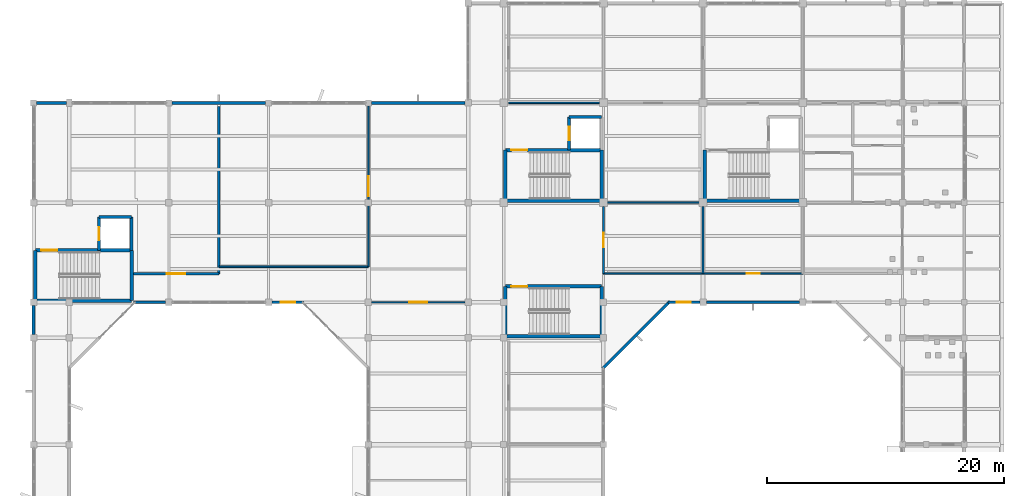
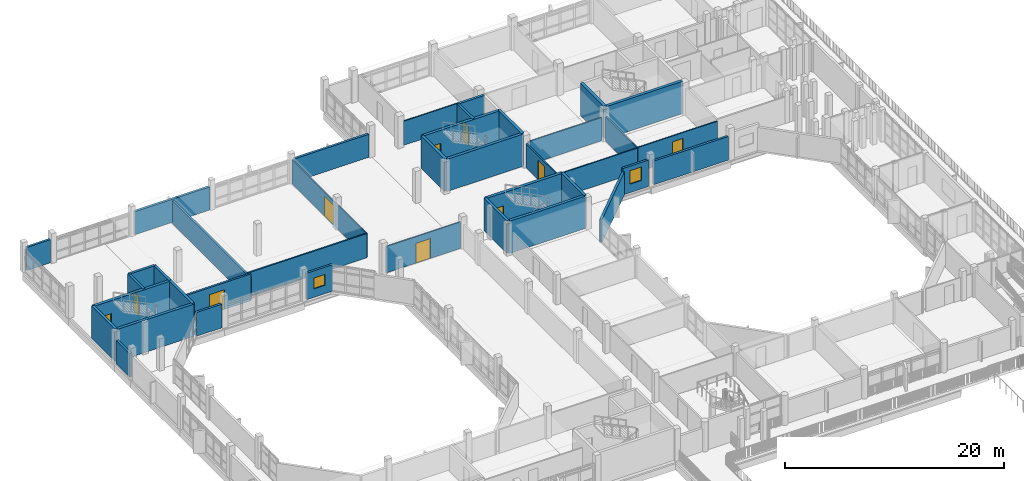
# One storey, part 32 of 51: 39 walls, 10 doors, 2 windows, 12 openings.
"""IFC4 building model written with IfcOpenShell, lengths in metres."""

from ifc_helpers import new_model, si_unit, direction, frame, frame_2d, origin, place, context, subcontext, project, spatial, rectangle, extrude, material, layer, layer_set, type_object, element, fill, save


model = new_model("IFC4")

# Units and contexts
model_context = context("Model", 3, precision=1e-05, world=origin(), true_north=direction((0.0, 1.0)))
body_context = subcontext(model_context, "Body", "Model", "MODEL_VIEW")
ifc_project = project(units=[si_unit("LENGTHUNIT", "METRE"), si_unit("AREAUNIT", "SQUARE_METRE"), si_unit("VOLUMEUNIT", "CUBIC_METRE"), si_unit("PLANEANGLEUNIT", "RADIAN"), si_unit("MASSUNIT", "GRAM", prefix="KILO")], contexts=[model_context])

# Site, building, storey
site_placement = place(None, origin())
site = spatial("IfcSite", under=ifc_project, at=site_placement, CompositionType="ELEMENT")
building_placement = place(site_placement, origin())
building = spatial("IfcBuilding", under=site, at=building_placement, Name="Vanh Quang Courtyard School", CompositionType="ELEMENT")
storey_placement = place(building_placement, frame((0.0, 0.0, 11.39990234375)))
storey = spatial("IfcBuildingStorey", under=building, at=storey_placement, Name="L03", CompositionType="ELEMENT", Elevation=11.39990234375)

# Wall
ifc_material_1 = material(Name="Concrete C30/37", Category="concrete")
ifc_layer_1 = layer(ifc_material_1, 0.199951171875)
ifc_layer_set_1 = layer_set([ifc_layer_1], Name="Concrete C30/37")
wall_type_1 = type_object("IfcWallType", Name="W-COMP-200", PredefinedType="PARTITIONING", material=ifc_layer_set_1)
wall_1_placement = place(storey_placement, frame((53.39990234375, 87.8798828125, 0.0), z_axis=(0.0, 0.0, 1.0), x_axis=(0.0, -1.0, 0.0)))
element("IfcWall", 1, at=wall_1_placement, inside=storey, type_object=wall_type_1, Name="Wall W-COMP1 (L03)", PredefinedType="PARTITIONING", context=body_context, shape_type="SweptSolid", body=[
    extrude(rectangle(XDim=14.079833984375, YDim=0.199951171875, at=frame_2d((7.0400390625, 0.0))), origin(), (0.0, 0.0, 1.0), 2.590087890625),
])

# Wall, opening, door
wall_2_placement = place(storey_placement, frame((53.39990234375, 73.800048828125, 0.0), z_axis=(0.0, 0.0, 1.0), x_axis=(-1.0, 0.0, 0.0)))
wall_2 = element("IfcWall", 2, at=wall_2_placement, inside=storey, type_object=wall_type_1, Name="Wall W-COMP1 (L03)", PredefinedType="PARTITIONING", context=body_context, shape_type="SweptSolid", body=[
    extrude(rectangle(XDim=7.199951171875, YDim=0.199951171875, at=frame_2d((3.60009765625, 0.0))), origin(), (0.0, 0.0, 1.0), 2.97998046875),
])
opening_1_placement = place(wall_2_placement, frame((2.824951171875, 0.0, 0.0)))
opening_1 = element("IfcOpeningElement", 3, at=opening_1_placement, cuts=wall_2, Name="Opening L03-D135", PredefinedType="OPENING", context=body_context, shape_type="SweptSolid", body=[
    extrude(rectangle(XDim=1.550048828125, YDim=2.199951171875, at=frame_2d((0.77490234375, 1.10009765625))), frame((0.0, 0.10986328125, 0.0), z_axis=(0.0, -1.0, 0.0), x_axis=(1.0, 0.0, 0.0)), (0.0, 0.0, 1.0), 0.219970703125),
])
ifc_material_2 = material(Name="Painted galvanised steel fire door", Category="steel")
door_type_1 = type_object("IfcDoorType", Name="IDR-KIT-1550x2200", OperationType="NOTDEFINED", PredefinedType="DOOR", material=ifc_material_2)
door_1_placement = place(opening_1_placement, origin())
door_1 = element("IfcDoor", 4, at=door_1_placement, inside=storey, type_object=door_type_1, Name="Door L03-D135 (L03)", OperationType="DOUBLE_DOOR_SINGLE_SWING", OverallHeight=2.199951171875, OverallWidth=1.550048828125, PredefinedType="DOOR", context=body_context, shape_type="SweptSolid", body=[
    extrude(rectangle(XDim=1.550048828125, YDim=2.199951171875, at=frame_2d((0.77490234375, 1.10009765625))), frame((0.0, 0.02490234375, 0.0), z_axis=(0.0, -1.0, 0.0), x_axis=(1.0, 0.0, 0.0)), (0.0, 0.0, 1.0), 0.050048828125),
])
fill(opening_1, door_1)

# Walls
ifc_material_3 = material(Name="Concrete C35/45", Category="concrete")
ifc_layer_2 = layer(ifc_material_3, 0.300048828125)
ifc_layer_set_2 = layer_set([ifc_layer_2], Name="Concrete C35/45")
wall_type_2 = type_object("IfcWallType", Name="W-CORE-300", PredefinedType="SHEAR", material=ifc_layer_set_2)
wall_3_placement = place(storey_placement, frame((77.5400390625, 79.93994140625, 0.0), z_axis=(0.0, 0.0, 1.0), x_axis=(1.0, 0.0, 0.0)))
element("IfcWall", 5, at=wall_3_placement, inside=storey, type_object=wall_type_2, Name="Wall W-CORE1 (L03)", PredefinedType="SHEAR", context=body_context, shape_type="SweptSolid", body=[
    extrude(rectangle(XDim=8.119873046875, YDim=0.300048828125, at=frame_2d((4.06005859375, 0.0))), origin(), (0.0, 0.0, 1.0), 3.60009765625),
])
wall_4_placement = place(storey_placement, frame((85.659912109375, 79.93994140625, 0.0), z_axis=(0.0, 0.0, 1.0), x_axis=(0.0, 1.0, 0.0)))
element("IfcWall", 6, at=wall_4_placement, inside=storey, type_object=wall_type_2, Name="Wall W-CORE1 (L03)", PredefinedType="SHEAR", context=body_context, shape_type="SweptSolid", body=[
    extrude(rectangle(XDim=4.280029296875, YDim=0.300048828125, at=frame_2d((2.14013671875, 0.0))), origin(), (0.0, 0.0, 1.0), 3.60009765625),
])

# Wall, opening, door
wall_5_placement = place(storey_placement, frame((85.659912109375, 84.219970703125, 0.0), z_axis=(0.0, 0.0, 1.0), x_axis=(-1.0, 0.0, 0.0)))
wall_5 = element("IfcWall", 7, at=wall_5_placement, inside=storey, type_object=wall_type_2, Name="Wall W-CORE1 (L03)", PredefinedType="SHEAR", context=body_context, shape_type="SweptSolid", body=[
    extrude(rectangle(XDim=8.119873046875, YDim=0.300048828125, at=frame_2d((4.06005859375, 0.0))), origin(), (0.0, 0.0, 1.0), 3.60009765625),
])
opening_2_placement = place(wall_5_placement, frame((6.27001953125, 0.0, 0.0)))
opening_2 = element("IfcOpeningElement", 8, at=opening_2_placement, cuts=wall_5, Name="Opening L03-DS1", PredefinedType="OPENING", context=body_context, shape_type="SweptSolid", body=[
    extrude(rectangle(XDim=1.35009765625, YDim=2.14990234375, at=frame_2d((0.675048828125, 1.074951171875))), frame((0.0, 0.16015625, 0.0), z_axis=(0.0, -1.0, 0.0), x_axis=(1.0, 0.0, 0.0)), (0.0, 0.0, 1.0), 0.320068359375),
])
door_type_2 = type_object("IfcDoorType", Name="IDR-ST-1350x2150", OperationType="NOTDEFINED", PredefinedType="DOOR", material=ifc_material_2)
door_2_placement = place(opening_2_placement, frame((1.35009765625, 0.0, 0.0), z_axis=(0.0, 0.0, 1.0), x_axis=(-1.0, 0.0, 0.0)))
door_2 = element("IfcDoor", 9, at=door_2_placement, inside=storey, type_object=door_type_2, Name="Door L03-DS1 (L03)", OperationType="SINGLE_SWING_LEFT", OverallHeight=2.14990234375, OverallWidth=1.35009765625, PredefinedType="DOOR", context=body_context, shape_type="SweptSolid", body=[
    extrude(rectangle(XDim=1.35009765625, YDim=2.14990234375, at=frame_2d((0.675048828125, 1.074951171875))), frame((0.0, 0.02490234375, 0.0), z_axis=(0.0, -1.0, 0.0), x_axis=(1.0, 0.0, 0.0)), (0.0, 0.0, 1.0), 0.050048828125),
])
fill(opening_2, door_2)

# Walls
wall_6_placement = place(storey_placement, frame((77.5400390625, 84.219970703125, 0.0), z_axis=(0.0, 0.0, 1.0), x_axis=(0.0, -1.0, 0.0)))
element("IfcWall", 10, at=wall_6_placement, inside=storey, type_object=wall_type_2, Name="Wall W-CORE1 (L03)", PredefinedType="SHEAR", context=body_context, shape_type="SweptSolid", body=[
    extrude(rectangle(XDim=4.280029296875, YDim=0.300048828125, at=frame_2d((2.14013671875, 0.0))), origin(), (0.0, 0.0, 1.0), 3.60009765625),
])
wall_7_placement = place(storey_placement, frame((94.340087890625, 79.93994140625, 0.0), z_axis=(0.0, 0.0, 1.0), x_axis=(1.0, 0.0, 0.0)))
element("IfcWall", 11, at=wall_7_placement, inside=storey, type_object=wall_type_2, Name="Wall W-CORE1 (L03)", PredefinedType="SHEAR", context=body_context, shape_type="SweptSolid", body=[
    extrude(rectangle(XDim=8.119873046875, YDim=0.300048828125, at=frame_2d((4.06005859375, 0.0))), origin(), (0.0, 0.0, 1.0), 3.60009765625),
])
wall_8_placement = place(storey_placement, frame((94.340087890625, 84.219970703125, 0.0), z_axis=(0.0, 0.0, 1.0), x_axis=(0.0, -1.0, 0.0)))
element("IfcWall", 12, at=wall_8_placement, inside=storey, type_object=wall_type_2, Name="Wall W-CORE1 (L03)", PredefinedType="SHEAR", context=body_context, shape_type="SweptSolid", body=[
    extrude(rectangle(XDim=4.280029296875, YDim=0.300048828125, at=frame_2d((2.14013671875, 0.0))), origin(), (0.0, 0.0, 1.0), 3.60009765625),
])
wall_9_placement = place(storey_placement, frame((37.93994140625, 71.5400390625, 0.0), z_axis=(0.0, 0.0, 1.0), x_axis=(1.0, 0.0, 0.0)))
element("IfcWall", 13, at=wall_9_placement, inside=storey, type_object=wall_type_2, Name="Wall W-CORE1 (L03)", PredefinedType="SHEAR", context=body_context, shape_type="SweptSolid", body=[
    extrude(rectangle(XDim=8.1201171875, YDim=0.300048828125, at=frame_2d((4.06005859375, 0.0))), origin(), (0.0, 0.0, 1.0), 3.60009765625),
])
wall_10_placement = place(storey_placement, frame((46.06005859375, 71.5400390625, 0.0), z_axis=(0.0, 0.0, 1.0), x_axis=(0.0, 1.0, 0.0)))
element("IfcWall", 14, at=wall_10_placement, inside=storey, type_object=wall_type_2, Name="Wall W-CORE1 (L03)", PredefinedType="SHEAR", context=body_context, shape_type="SweptSolid", body=[
    extrude(rectangle(XDim=4.239990234375, YDim=0.300048828125, at=frame_2d((2.1201171875, 0.0))), origin(), (0.0, 0.0, 1.0), 3.60009765625),
])

# Wall, opening, door
wall_11_placement = place(storey_placement, frame((46.06005859375, 75.780029296875, 0.0), z_axis=(0.0, 0.0, 1.0), x_axis=(-1.0, 0.0, 0.0)))
wall_11 = element("IfcWall", 15, at=wall_11_placement, inside=storey, type_object=wall_type_2, Name="Wall W-CORE1 (L03)", PredefinedType="SHEAR", context=body_context, shape_type="SweptSolid", body=[
    extrude(rectangle(XDim=8.1201171875, YDim=0.300048828125, at=frame_2d((4.06005859375, 0.0))), origin(), (0.0, 0.0, 1.0), 3.60009765625),
])
opening_3_placement = place(wall_11_placement, frame((6.27001953125, 0.0, 0.0)))
opening_3 = element("IfcOpeningElement", 16, at=opening_3_placement, cuts=wall_11, Name="Opening L03-DS3", PredefinedType="OPENING", context=body_context, shape_type="SweptSolid", body=[
    extrude(rectangle(XDim=1.35009765625, YDim=2.14990234375, at=frame_2d((0.675048828125, 1.074951171875))), frame((0.0, 0.16015625, 0.0), z_axis=(0.0, -1.0, 0.0), x_axis=(1.0, 0.0, 0.0)), (0.0, 0.0, 1.0), 0.320068359375),
])
door_3_placement = place(opening_3_placement, frame((1.35009765625, 0.0, 0.0), z_axis=(0.0, 0.0, 1.0), x_axis=(-1.0, 0.0, 0.0)))
door_3 = element("IfcDoor", 17, at=door_3_placement, inside=storey, type_object=door_type_2, Name="Door L03-DS3 (L03)", OperationType="SINGLE_SWING_LEFT", OverallHeight=2.14990234375, OverallWidth=1.35009765625, PredefinedType="DOOR", context=body_context, shape_type="SweptSolid", body=[
    extrude(rectangle(XDim=1.35009765625, YDim=2.14990234375, at=frame_2d((0.675048828125, 1.074951171875))), frame((0.0, 0.02490234375, 0.0), z_axis=(0.0, -1.0, 0.0), x_axis=(1.0, 0.0, 0.0)), (0.0, 0.0, 1.0), 0.050048828125),
])
fill(opening_3, door_3)

# Walls
wall_12_placement = place(storey_placement, frame((37.93994140625, 75.780029296875, 0.0), z_axis=(0.0, 0.0, 1.0), x_axis=(0.0, -1.0, 0.0)))
element("IfcWall", 18, at=wall_12_placement, inside=storey, type_object=wall_type_2, Name="Wall W-CORE1 (L03)", PredefinedType="SHEAR", context=body_context, shape_type="SweptSolid", body=[
    extrude(rectangle(XDim=4.239990234375, YDim=0.300048828125, at=frame_2d((2.1201171875, 0.0))), origin(), (0.0, 0.0, 1.0), 3.60009765625),
])
wall_13_placement = place(storey_placement, frame((77.5400390625, 68.5400390625, 0.0), z_axis=(0.0, 0.0, 1.0), x_axis=(1.0, 0.0, 0.0)))
element("IfcWall", 19, at=wall_13_placement, inside=storey, type_object=wall_type_2, Name="Wall W-CORE1 (L03)", PredefinedType="SHEAR", context=body_context, shape_type="SweptSolid", body=[
    extrude(rectangle(XDim=8.119873046875, YDim=0.300048828125, at=frame_2d((4.06005859375, 0.0))), origin(), (0.0, 0.0, 1.0), 3.60009765625),
])
wall_14_placement = place(storey_placement, frame((85.659912109375, 68.5400390625, 0.0), z_axis=(0.0, 0.0, 1.0), x_axis=(0.0, 1.0, 0.0)))
element("IfcWall", 20, at=wall_14_placement, inside=storey, type_object=wall_type_2, Name="Wall W-CORE1 (L03)", PredefinedType="SHEAR", context=body_context, shape_type="SweptSolid", body=[
    extrude(rectangle(XDim=4.199951171875, YDim=0.300048828125, at=frame_2d((2.10009765625, 0.0))), origin(), (0.0, 0.0, 1.0), 3.60009765625),
])

# Wall, opening, door
wall_15_placement = place(storey_placement, frame((85.659912109375, 72.739990234375, 0.0), z_axis=(0.0, 0.0, 1.0), x_axis=(-1.0, 0.0, 0.0)))
wall_15 = element("IfcWall", 21, at=wall_15_placement, inside=storey, type_object=wall_type_2, Name="Wall W-CORE1 (L03)", PredefinedType="SHEAR", context=body_context, shape_type="SweptSolid", body=[
    extrude(rectangle(XDim=8.119873046875, YDim=0.300048828125, at=frame_2d((4.06005859375, 0.0))), origin(), (0.0, 0.0, 1.0), 3.60009765625),
])
opening_4_placement = place(wall_15_placement, frame((6.27001953125, 0.0, 0.0)))
opening_4 = element("IfcOpeningElement", 22, at=opening_4_placement, cuts=wall_15, Name="Opening L03-DS5", PredefinedType="OPENING", context=body_context, shape_type="SweptSolid", body=[
    extrude(rectangle(XDim=1.35009765625, YDim=2.14990234375, at=frame_2d((0.675048828125, 1.074951171875))), frame((0.0, 0.16015625, 0.0), z_axis=(0.0, -1.0, 0.0), x_axis=(1.0, 0.0, 0.0)), (0.0, 0.0, 1.0), 0.320068359375),
])
door_4_placement = place(opening_4_placement, frame((1.35009765625, 0.0, 0.0), z_axis=(0.0, 0.0, 1.0), x_axis=(-1.0, 0.0, 0.0)))
door_4 = element("IfcDoor", 23, at=door_4_placement, inside=storey, type_object=door_type_2, Name="Door L03-DS5 (L03)", OperationType="SINGLE_SWING_LEFT", OverallHeight=2.14990234375, OverallWidth=1.35009765625, PredefinedType="DOOR", context=body_context, shape_type="SweptSolid", body=[
    extrude(rectangle(XDim=1.35009765625, YDim=2.14990234375, at=frame_2d((0.675048828125, 1.074951171875))), frame((0.0, 0.02490234375, 0.0), z_axis=(0.0, -1.0, 0.0), x_axis=(1.0, 0.0, 0.0)), (0.0, 0.0, 1.0), 0.050048828125),
])
fill(opening_4, door_4)

# Walls
wall_16_placement = place(storey_placement, frame((77.5400390625, 72.739990234375, 0.0), z_axis=(0.0, 0.0, 1.0), x_axis=(0.0, -1.0, 0.0)))
element("IfcWall", 24, at=wall_16_placement, inside=storey, type_object=wall_type_2, Name="Wall W-CORE1 (L03)", PredefinedType="SHEAR", context=body_context, shape_type="SweptSolid", body=[
    extrude(rectangle(XDim=4.199951171875, YDim=0.300048828125, at=frame_2d((2.10009765625, 0.0))), origin(), (0.0, 0.0, 1.0), 3.60009765625),
])
ifc_material_4 = material(Name="Precast concrete C40/50", Category="concrete")
ifc_layer_3 = layer(ifc_material_4, 0.239990234375)
ifc_layer_set_3 = layer_set([ifc_layer_3], Name="Precast concrete C40/50")
wall_type_3 = type_object("IfcWallType", Name="W-EXT-240", PredefinedType="SOLIDWALL", material=ifc_layer_set_3)
wall_17_placement = place(storey_placement, frame((37.800048828125, 68.673095703125, 0.0), z_axis=(0.0, 0.0, 1.0), x_axis=(0.0, 1.0, 0.0)))
element("IfcWall", 25, at=wall_17_placement, inside=storey, type_object=wall_type_3, Name="Wall WE-03 (L03)", PredefinedType="SOLIDWALL", context=body_context, shape_type="SweptSolid", body=[
    extrude(rectangle(XDim=2.453857421875, YDim=0.239990234375, at=frame_2d((1.22705078125, 0.0))), origin(), (0.0, 0.0, 1.0), 2.64013671875),
])
wall_18_placement = place(storey_placement, frame((38.048095703125, 88.199951171875, 0.0), z_axis=(0.0, 0.0, 1.0), x_axis=(1.0, 0.0, 0.0)))
element("IfcWall", 26, at=wall_18_placement, inside=storey, type_object=wall_type_3, Name="Wall WE-03 (L03)", PredefinedType="SOLIDWALL", context=body_context, shape_type="SweptSolid", body=[
    extrude(rectangle(XDim=2.50390625, YDim=0.239990234375, at=frame_2d((1.251953125, 0.0))), origin(), (0.0, 0.0, 1.0), 2.580078125),
])
wall_19_placement = place(storey_placement, frame((49.447998046875, 88.199951171875, 0.0), z_axis=(0.0, 0.0, 1.0), x_axis=(1.0, 0.0, 0.0)))
element("IfcWall", 27, at=wall_19_placement, inside=storey, type_object=wall_type_3, Name="Wall WE-03 (L03)", PredefinedType="SOLIDWALL", context=body_context, shape_type="SweptSolid", body=[
    extrude(rectangle(XDim=7.904052734375, YDim=0.239990234375, at=frame_2d((3.9521484375, 0.0))), origin(), (0.0, 0.0, 1.0), 2.580078125),
])
wall_20_placement = place(storey_placement, frame((66.248046875, 88.199951171875, 0.0), z_axis=(0.0, 0.0, 1.0), x_axis=(1.0, 0.0, 0.0)))
element("IfcWall", 28, at=wall_20_placement, inside=storey, type_object=wall_type_3, Name="Wall WE-03 (L03)", PredefinedType="SOLIDWALL", context=body_context, shape_type="SweptSolid", body=[
    extrude(rectangle(XDim=7.87890625, YDim=0.239990234375, at=frame_2d((3.939453125, 0.0))), origin(), (0.0, 0.0, 1.0), 2.580078125),
])

# Wall, opening, window
wall_21_placement = place(storey_placement, frame((60.575927734375, 71.39990234375, 0.0), z_axis=(0.0, 0.0, 1.0), x_axis=(-1.0, 0.0, 0.0)))
wall_21 = element("IfcWall", 29, at=wall_21_placement, inside=storey, type_object=wall_type_3, Name="Wall WE-03 (L03)", PredefinedType="SOLIDWALL", context=body_context, shape_type="SweptSolid", body=[
    extrude(rectangle(XDim=2.702880859375, YDim=0.239990234375, at=frame_2d((1.3515625, 0.0))), origin(), (0.0, 0.0, 1.0), 2.9501953125),
])
opening_5_placement = place(wall_21_placement, frame((0.75146484375, 0.0, 0.949951171875)))
opening_5 = element("IfcOpeningElement", 30, at=opening_5_placement, cuts=wall_21, Name="Opening WN-01", PredefinedType="OPENING", context=body_context, shape_type="SweptSolid", body=[
    extrude(rectangle(XDim=1.199951171875, YDim=1.199951171875, at=frame_2d((0.60009765625, 0.60009765625))), frame((0.0, 0.1298828125, 0.0), z_axis=(0.0, -1.0, 0.0), x_axis=(1.0, 0.0, 0.0)), (0.0, 0.0, 1.0), 0.260009765625),
])
ifc_material_5 = material(Name="Anodised aluminium and low-E double glazing", Category="aluminium")
window_type_1 = type_object("IfcWindowType", Name="WIN-TYP-01", PartitioningType="SINGLE_PANEL", PredefinedType="WINDOW", material=ifc_material_5)
window_1_placement = place(opening_5_placement, origin())
window_1 = element("IfcWindow", 31, at=window_1_placement, inside=storey, type_object=window_type_1, Name="Window WN-01 (L03)", OverallHeight=1.199951171875, OverallWidth=1.199951171875, PartitioningType="SINGLE_PANEL", PredefinedType="WINDOW", context=body_context, shape_type="SweptSolid", body=[
    extrude(rectangle(XDim=1.199951171875, YDim=1.199951171875, at=frame_2d((0.60009765625, 0.60009765625))), frame((0.0, 0.030029296875, 0.0), z_axis=(0.0, -1.0, 0.0), x_axis=(1.0, 0.0, 0.0)), (0.0, 0.0, 1.0), 0.06005859375),
])
fill(opening_5, window_1)

# Walls
wall_22_placement = place(storey_placement, frame((48.927001953125, 71.39990234375, 0.0), z_axis=(0.0, 0.0, 1.0), x_axis=(-1.0, 0.0, 0.0)))
element("IfcWall", 32, at=wall_22_placement, inside=storey, type_object=wall_type_3, Name="Wall WE-03 (L03)", PredefinedType="SOLIDWALL", context=body_context, shape_type="SweptSolid", body=[
    extrude(rectangle(XDim=2.702880859375, YDim=0.239990234375, at=frame_2d((1.3515625, 0.0))), origin(), (0.0, 0.0, 1.0), 2.64013671875),
])
wall_23_placement = place(storey_placement, frame((102.326904296875, 71.39990234375, 0.0), z_axis=(0.0, 0.0, 1.0), x_axis=(-1.0, 0.0, 0.0)))
element("IfcWall", 33, at=wall_23_placement, inside=storey, type_object=wall_type_3, Name="Wall WE-03 (L03)", PredefinedType="SOLIDWALL", context=body_context, shape_type="SweptSolid", body=[
    extrude(rectangle(XDim=7.85400390625, YDim=0.239990234375, at=frame_2d((3.927001953125, 0.0))), origin(), (0.0, 0.0, 1.0), 2.64013671875),
])

# Wall, opening, window
wall_24_placement = place(storey_placement, frame((93.927001953125, 71.39990234375, 0.0), z_axis=(0.0, 0.0, 1.0), x_axis=(-1.0, 0.0, 0.0)))
wall_24 = element("IfcWall", 34, at=wall_24_placement, inside=storey, type_object=wall_type_3, Name="Wall WE-03 (L03)", PredefinedType="SOLIDWALL", context=body_context, shape_type="SweptSolid", body=[
    extrude(rectangle(XDim=2.702880859375, YDim=0.239990234375, at=frame_2d((1.3515625, 0.0))), origin(), (0.0, 0.0, 1.0), 2.9501953125),
])
opening_6_placement = place(wall_24_placement, frame((0.75146484375, 0.0, 0.949951171875)))
opening_6 = element("IfcOpeningElement", 35, at=opening_6_placement, cuts=wall_24, Name="Opening WN-10", PredefinedType="OPENING", context=body_context, shape_type="SweptSolid", body=[
    extrude(rectangle(XDim=1.199951171875, YDim=1.5, at=frame_2d((0.60009765625, 0.75))), frame((0.0, 0.1298828125, 0.0), z_axis=(0.0, -1.0, 0.0), x_axis=(1.0, 0.0, 0.0)), (0.0, 0.0, 1.0), 0.260009765625),
])
window_type_2 = type_object("IfcWindowType", Name="WIN-TYP-10", PartitioningType="SINGLE_PANEL", PredefinedType="WINDOW", material=ifc_material_5)
window_2_placement = place(opening_6_placement, origin())
window_2 = element("IfcWindow", 36, at=window_2_placement, inside=storey, type_object=window_type_2, Name="Window WN-10 (L03)", OverallHeight=1.5, OverallWidth=1.199951171875, PartitioningType="SINGLE_PANEL", PredefinedType="WINDOW", context=body_context, shape_type="SweptSolid", body=[
    extrude(rectangle(XDim=1.199951171875, YDim=1.5, at=frame_2d((0.60009765625, 0.75))), frame((0.0, 0.030029296875, 0.0), z_axis=(0.0, -1.0, 0.0), x_axis=(1.0, 0.0, 0.0)), (0.0, 0.0, 1.0), 0.06005859375),
])
fill(opening_6, window_2)

# Wall
wall_25_placement = place(storey_placement, frame((91.428955078125, 71.48486328125, 0.0), z_axis=(0.0, 0.0, 1.0), x_axis=(-0.707106781187, -0.707106781187, 0.0)))
element("IfcWall", 37, at=wall_25_placement, inside=storey, type_object=wall_type_3, Name="Wall WE-03 (L03)", PredefinedType="SOLIDWALL", context=body_context, shape_type="SweptSolid", body=[
    extrude(rectangle(XDim=8.08056640625, YDim=0.239990234375, at=frame_2d((4.040283203125, 0.0))), origin(), (0.0, 0.0, 1.0), 2.580078125),
])

# Wall, opening, door
ifc_material_6 = material(Name="Acoustic gypsum stud partition", Category="gypsum")
ifc_layer_4 = layer(ifc_material_6, 0.1201171875)
ifc_layer_set_4 = layer_set([ifc_layer_4], Name="Acoustic gypsum stud partition")
wall_type_4 = type_object("IfcWallType", Name="W-PART-120", PredefinedType="PARTITIONING", material=ifc_layer_set_4)
wall_26_placement = place(storey_placement, frame((66.0, 87.951904296875, 0.0), z_axis=(0.0, 0.0, 1.0), x_axis=(0.0, -1.0, 0.0)))
wall_26 = element("IfcWall", 38, at=wall_26_placement, inside=storey, type_object=wall_type_4, Name="Wall W-PRT2 (L03)", PredefinedType="PARTITIONING", context=body_context, shape_type="SweptSolid", body=[
    extrude(rectangle(XDim=13.552001953125, YDim=0.1201171875, at=frame_2d((6.77587890625, 0.0))), origin(), (0.0, 0.0, 1.0), 2.68017578125),
])
opening_7_placement = place(wall_26_placement, frame((5.926025390625, 0.0, 0.0)))
opening_7 = element("IfcOpeningElement", 39, at=opening_7_placement, cuts=wall_26, Name="Opening L03-D136", PredefinedType="OPENING", context=body_context, shape_type="SweptSolid", body=[
    extrude(rectangle(XDim=1.699951171875, YDim=2.199951171875, at=frame_2d((0.85009765625, 1.10009765625))), frame((0.0, 0.070068359375, 0.0), z_axis=(0.0, -1.0, 0.0), x_axis=(1.0, 0.0, 0.0)), (0.0, 0.0, 1.0), 0.14013671875),
])
ifc_material_7 = material(Name="Solid-core hardwood acoustic door", Category="wood")
door_type_3 = type_object("IfcDoorType", Name="IDR-LIB-1700x2200", OperationType="NOTDEFINED", PredefinedType="DOOR", material=ifc_material_7)
door_5_placement = place(opening_7_placement, origin())
door_5 = element("IfcDoor", 40, at=door_5_placement, inside=storey, type_object=door_type_3, Name="Door L03-D136 (L03)", OperationType="DOUBLE_DOOR_SINGLE_SWING", OverallHeight=2.199951171875, OverallWidth=1.699951171875, PredefinedType="DOOR", context=body_context, shape_type="SweptSolid", body=[
    extrude(rectangle(XDim=1.699951171875, YDim=2.199951171875, at=frame_2d((0.85009765625, 1.10009765625))), frame((0.0, 0.02490234375, 0.0), z_axis=(0.0, -1.0, 0.0), x_axis=(1.0, 0.0, 0.0)), (0.0, 0.0, 1.0), 0.050048828125),
])
fill(opening_7, door_5)

wall_27_placement = place(storey_placement, frame((66.27294921875, 71.39990234375, 0.0), z_axis=(0.0, 0.0, 1.0), x_axis=(1.0, 0.0, 0.0)))
wall_27 = element("IfcWall", 41, at=wall_27_placement, inside=storey, type_object=wall_type_4, Name="Wall W-PRT2 (L03)", PredefinedType="PARTITIONING", context=body_context, shape_type="SweptSolid", body=[
    extrude(rectangle(XDim=7.85400390625, YDim=0.1201171875, at=frame_2d((3.927001953125, 0.0))), origin(), (0.0, 0.0, 1.0), 2.9501953125),
])
opening_8_placement = place(wall_27_placement, frame((3.177001953125, 0.0, 0.0)))
opening_8 = element("IfcOpeningElement", 42, at=opening_8_placement, cuts=wall_27, Name="Opening L03-D137", PredefinedType="OPENING", context=body_context, shape_type="SweptSolid", body=[
    extrude(rectangle(XDim=1.5, YDim=2.199951171875, at=frame_2d((0.75, 1.10009765625))), frame((0.0, 0.070068359375, 0.0), z_axis=(0.0, -1.0, 0.0), x_axis=(1.0, 0.0, 0.0)), (0.0, 0.0, 1.0), 0.14013671875),
])
door_type_4 = type_object("IfcDoorType", Name="IDR-LIB-1500x2200", OperationType="NOTDEFINED", PredefinedType="DOOR", material=ifc_material_7)
door_6_placement = place(opening_8_placement, origin())
door_6 = element("IfcDoor", 43, at=door_6_placement, inside=storey, type_object=door_type_4, Name="Door L03-D137 (L03)", OperationType="DOUBLE_DOOR_SINGLE_SWING", OverallHeight=2.199951171875, OverallWidth=1.5, PredefinedType="DOOR", context=body_context, shape_type="SweptSolid", body=[
    extrude(rectangle(XDim=1.5, YDim=2.199951171875, at=frame_2d((0.75, 1.10009765625))), frame((0.0, 0.02490234375, 0.0), z_axis=(0.0, -1.0, 0.0), x_axis=(1.0, 0.0, 0.0)), (0.0, 0.0, 1.0), 0.050048828125),
])
fill(opening_8, door_6)

# Walls
wall_28_placement = place(storey_placement, frame((85.47705078125, 88.199951171875, 0.0), z_axis=(0.0, 0.0, 1.0), x_axis=(-1.0, 0.0, 0.0)))
element("IfcWall", 44, at=wall_28_placement, inside=storey, type_object=wall_type_4, Name="Wall W-PRT2 (L03)", PredefinedType="PARTITIONING", context=body_context, shape_type="SweptSolid", body=[
    extrude(rectangle(XDim=7.656982421875, YDim=0.1201171875, at=frame_2d((3.82861328125, 0.0))), origin(), (0.0, 0.0, 1.0), 2.690185546875),
])
wall_29_placement = place(storey_placement, frame((86.123046875, 79.800048828125, 0.0), z_axis=(0.0, 0.0, 1.0), x_axis=(1.0, 0.0, 0.0)))
element("IfcWall", 45, at=wall_29_placement, inside=storey, type_object=wall_type_4, Name="Wall W-PRT2 (L03)", PredefinedType="PARTITIONING", context=body_context, shape_type="SweptSolid", body=[
    extrude(rectangle(XDim=7.75390625, YDim=0.1201171875, at=frame_2d((3.876953125, 0.0))), origin(), (0.0, 0.0, 1.0), 2.590087890625),
])
wall_30_placement = place(storey_placement, frame((94.199951171875, 73.820068359375, 0.0), z_axis=(0.0, 0.0, 1.0), x_axis=(-1.0, 0.0, 0.0)))
element("IfcWall", 46, at=wall_30_placement, inside=storey, type_object=wall_type_4, Name="Wall W-PRT2 (L03)", PredefinedType="PARTITIONING", context=body_context, shape_type="SweptSolid", body=[
    extrude(rectangle(XDim=8.39990234375, YDim=0.1201171875, at=frame_2d((4.199951171875, 0.0))), origin(), (0.0, 0.0, 1.0), 2.690185546875),
])

# Wall, opening, door
wall_31_placement = place(storey_placement, frame((102.60009765625, 73.820068359375, 0.0), z_axis=(0.0, 0.0, 1.0), x_axis=(-1.0, 0.0, 0.0)))
wall_31 = element("IfcWall", 47, at=wall_31_placement, inside=storey, type_object=wall_type_4, Name="Wall W-PRT2 (L03)", PredefinedType="PARTITIONING", context=body_context, shape_type="SweptSolid", body=[
    extrude(rectangle(XDim=8.380126953125, YDim=0.1201171875, at=frame_2d((4.18994140625, 0.0))), origin(), (0.0, 0.0, 1.0), 2.739990234375),
])
opening_9_placement = place(wall_31_placement, frame((3.639892578125, 0.0, 0.0)))
opening_9 = element("IfcOpeningElement", 48, at=opening_9_placement, cuts=wall_31, Name="Opening L03-D148", PredefinedType="OPENING", context=body_context, shape_type="SweptSolid", body=[
    extrude(rectangle(XDim=1.10009765625, YDim=2.10009765625, at=frame_2d((0.550048828125, 1.050048828125))), frame((0.0, 0.070068359375, 0.0), z_axis=(0.0, -1.0, 0.0), x_axis=(1.0, 0.0, 0.0)), (0.0, 0.0, 1.0), 0.14013671875),
])
door_type_5 = type_object("IfcDoorType", Name="IDR-CLS-1100x2100", OperationType="NOTDEFINED", PredefinedType="DOOR", material=ifc_material_7)
door_7_placement = place(opening_9_placement, origin())
door_7 = element("IfcDoor", 49, at=door_7_placement, inside=storey, type_object=door_type_5, Name="Door L03-D148 (L03)", OperationType="SINGLE_SWING_LEFT", OverallHeight=2.10009765625, OverallWidth=1.10009765625, PredefinedType="DOOR", context=body_context, shape_type="SweptSolid", body=[
    extrude(rectangle(XDim=1.10009765625, YDim=2.10009765625, at=frame_2d((0.550048828125, 1.050048828125))), frame((0.0, 0.02490234375, 0.0), z_axis=(0.0, -1.0, 0.0), x_axis=(1.0, 0.0, 0.0)), (0.0, 0.0, 1.0), 0.050048828125),
])
fill(opening_9, door_7)

# Wall
ifc_material_8 = material(Name="Autoclaved aerated masonry blockwork", Category="masonry")
ifc_layer_5 = layer(ifc_material_8, 0.14990234375)
ifc_layer_set_5 = layer_set([ifc_layer_5], Name="Autoclaved aerated masonry blockwork")
wall_type_5 = type_object("IfcWallType", Name="W-PART-150", PredefinedType="PARTITIONING", material=ifc_layer_set_5)
wall_32_placement = place(storey_placement, frame((66.0, 74.39990234375, 0.0), z_axis=(0.0, 0.0, 1.0), x_axis=(-1.0, 0.0, 0.0)))
element("IfcWall", 50, at=wall_32_placement, inside=storey, type_object=wall_type_5, Name="Wall W-PRT1 (L03)", PredefinedType="PARTITIONING", context=body_context, shape_type="SweptSolid", body=[
    extrude(rectangle(XDim=12.580078125, YDim=0.14990234375, at=frame_2d((6.2900390625, 0.0))), origin(), (0.0, 0.0, 1.0), 2.690185546875),
])

# Wall, opening, door
wall_33_placement = place(storey_placement, frame((85.800048828125, 73.820068359375, 0.0), z_axis=(0.0, 0.0, 1.0), x_axis=(0.0, 1.0, 0.0)))
wall_33 = element("IfcWall", 51, at=wall_33_placement, inside=storey, type_object=wall_type_5, Name="Wall W-PRT1 (L03)", PredefinedType="PARTITIONING", context=body_context, shape_type="SweptSolid", body=[
    extrude(rectangle(XDim=5.656982421875, YDim=0.14990234375, at=frame_2d((2.82861328125, 0.0))), origin(), (0.0, 0.0, 1.0), 2.690185546875),
])
opening_10_placement = place(wall_33_placement, frame((2.228515625, 0.0, 0.0)))
opening_10 = element("IfcOpeningElement", 52, at=opening_10_placement, cuts=wall_33, Name="Opening L03-D144", PredefinedType="OPENING", context=body_context, shape_type="SweptSolid", body=[
    extrude(rectangle(XDim=1.199951171875, YDim=2.14990234375, at=frame_2d((0.60009765625, 1.074951171875))), frame((0.0, 0.0849609375, 0.0), z_axis=(0.0, -1.0, 0.0), x_axis=(1.0, 0.0, 0.0)), (0.0, 0.0, 1.0), 0.169921875),
])
door_type_6 = type_object("IfcDoorType", Name="IDR-FD-1200x2150", OperationType="NOTDEFINED", PredefinedType="DOOR", material=ifc_material_2)
door_8_placement = place(opening_10_placement, origin())
door_8 = element("IfcDoor", 53, at=door_8_placement, inside=storey, type_object=door_type_6, Name="Door L03-D144 (L03)", OperationType="SINGLE_SWING_LEFT", OverallHeight=2.14990234375, OverallWidth=1.199951171875, PredefinedType="DOOR", context=body_context, shape_type="SweptSolid", body=[
    extrude(rectangle(XDim=1.199951171875, YDim=2.14990234375, at=frame_2d((0.60009765625, 1.074951171875))), frame((0.0, 0.02490234375, 0.0), z_axis=(0.0, -1.0, 0.0), x_axis=(1.0, 0.0, 0.0)), (0.0, 0.0, 1.0), 0.050048828125),
])
fill(opening_10, door_8)

# Wall
wall_34_placement = place(storey_placement, frame((94.199951171875, 79.47705078125, 0.0), z_axis=(0.0, 0.0, 1.0), x_axis=(0.0, -1.0, 0.0)))
element("IfcWall", 54, at=wall_34_placement, inside=storey, type_object=wall_type_5, Name="Wall W-PRT1 (L03)", PredefinedType="PARTITIONING", context=body_context, shape_type="SweptSolid", body=[
    extrude(rectangle(XDim=5.656982421875, YDim=0.14990234375, at=frame_2d((2.82861328125, 0.0))), origin(), (0.0, 0.0, 1.0), 2.739990234375),
])

# Wall, opening, door
ifc_layer_6 = layer(ifc_material_3, 0.25)
ifc_layer_set_6 = layer_set([ifc_layer_6], Name="Concrete C35/45")
wall_type_6 = type_object("IfcWallType", Name="W-SHFT-250", PredefinedType="SHEAR", material=ifc_layer_set_6)
wall_35_placement = place(storey_placement, frame((82.919921875, 87.02001953125, 0.0), z_axis=(0.0, 0.0, 1.0), x_axis=(0.0, -1.0, 0.0)))
wall_35 = element("IfcWall", 55, at=wall_35_placement, inside=storey, type_object=wall_type_6, Name="Wall W-SHFT1 (L03)", PredefinedType="SHEAR", context=body_context, shape_type="SweptSolid", body=[
    extrude(rectangle(XDim=2.800048828125, YDim=0.25, at=frame_2d((1.39990234375, 0.0))), origin(), (0.0, 0.0, 1.0), 3.60009765625),
])
opening_11_placement = place(wall_35_placement, frame((0.85009765625, 0.0, 0.0)))
opening_11 = element("IfcOpeningElement", 56, at=opening_11_placement, cuts=wall_35, Name="Opening LD-01-L03", PredefinedType="OPENING", context=body_context, shape_type="SweptSolid", body=[
    extrude(rectangle(XDim=1.10009765625, YDim=2.14990234375, at=frame_2d((0.550048828125, 1.074951171875))), frame((0.0, 0.135009765625, 0.0), z_axis=(0.0, -1.0, 0.0), x_axis=(1.0, 0.0, 0.0)), (0.0, 0.0, 1.0), 0.27001953125),
])
door_type_7 = type_object("IfcDoorType", Name="IDR-LD-1100x2150", OperationType="NOTDEFINED", PredefinedType="DOOR", material=ifc_material_2)
door_9_placement = place(opening_11_placement, origin())
door_9 = element("IfcDoor", 57, at=door_9_placement, inside=storey, type_object=door_type_7, Name="Door LD-01-L03 (L03)", OperationType="DOUBLE_DOOR_SLIDING", OverallHeight=2.14990234375, OverallWidth=1.10009765625, PredefinedType="DOOR", context=body_context, shape_type="SweptSolid", body=[
    extrude(rectangle(XDim=1.10009765625, YDim=2.14990234375, at=frame_2d((0.550048828125, 1.074951171875))), frame((0.0, 0.02490234375, 0.0), z_axis=(0.0, -1.0, 0.0), x_axis=(1.0, 0.0, 0.0)), (0.0, 0.0, 1.0), 0.050048828125),
])
fill(opening_11, door_9)

# Wall
wall_36_placement = place(storey_placement, frame((85.659912109375, 87.02001953125, 0.0), z_axis=(0.0, 0.0, 1.0), x_axis=(-1.0, 0.0, 0.0)))
element("IfcWall", 58, at=wall_36_placement, inside=storey, type_object=wall_type_6, Name="Wall W-SHFT1 (L03)", PredefinedType="SHEAR", context=body_context, shape_type="SweptSolid", body=[
    extrude(rectangle(XDim=2.739990234375, YDim=0.25, at=frame_2d((1.3701171875, 0.0))), origin(), (0.0, 0.0, 1.0), 3.60009765625),
])

# Wall, opening, door
wall_37_placement = place(storey_placement, frame((43.320068359375, 78.580078125, 0.0), z_axis=(0.0, 0.0, 1.0), x_axis=(0.0, -1.0, 0.0)))
wall_37 = element("IfcWall", 59, at=wall_37_placement, inside=storey, type_object=wall_type_6, Name="Wall W-SHFT1 (L03)", PredefinedType="SHEAR", context=body_context, shape_type="SweptSolid", body=[
    extrude(rectangle(XDim=2.800048828125, YDim=0.25, at=frame_2d((1.39990234375, 0.0))), origin(), (0.0, 0.0, 1.0), 3.60009765625),
])
opening_12_placement = place(wall_37_placement, frame((0.85009765625, 0.0, 0.0)))
opening_12 = element("IfcOpeningElement", 60, at=opening_12_placement, cuts=wall_37, Name="Opening LD-03-L03", PredefinedType="OPENING", context=body_context, shape_type="SweptSolid", body=[
    extrude(rectangle(XDim=1.10009765625, YDim=2.14990234375, at=frame_2d((0.550048828125, 1.074951171875))), frame((0.0, 0.135009765625, 0.0), z_axis=(0.0, -1.0, 0.0), x_axis=(1.0, 0.0, 0.0)), (0.0, 0.0, 1.0), 0.27001953125),
])
door_10_placement = place(opening_12_placement, origin())
door_10 = element("IfcDoor", 61, at=door_10_placement, inside=storey, type_object=door_type_7, Name="Door LD-03-L03 (L03)", OperationType="DOUBLE_DOOR_SLIDING", OverallHeight=2.14990234375, OverallWidth=1.10009765625, PredefinedType="DOOR", context=body_context, shape_type="SweptSolid", body=[
    extrude(rectangle(XDim=1.10009765625, YDim=2.14990234375, at=frame_2d((0.550048828125, 1.074951171875))), frame((0.0, 0.02490234375, 0.0), z_axis=(0.0, -1.0, 0.0), x_axis=(1.0, 0.0, 0.0)), (0.0, 0.0, 1.0), 0.050048828125),
])
fill(opening_12, door_10)

# Walls
wall_38_placement = place(storey_placement, frame((46.06005859375, 78.580078125, 0.0), z_axis=(0.0, 0.0, 1.0), x_axis=(-1.0, 0.0, 0.0)))
element("IfcWall", 62, at=wall_38_placement, inside=storey, type_object=wall_type_6, Name="Wall W-SHFT1 (L03)", PredefinedType="SHEAR", context=body_context, shape_type="SweptSolid", body=[
    extrude(rectangle(XDim=2.739990234375, YDim=0.25, at=frame_2d((1.3701171875, 0.0))), origin(), (0.0, 0.0, 1.0), 3.60009765625),
])
wall_39_placement = place(storey_placement, frame((46.06005859375, 75.780029296875, 0.0), z_axis=(0.0, 0.0, 1.0), x_axis=(0.0, 1.0, 0.0)))
element("IfcWall", 63, at=wall_39_placement, inside=storey, type_object=wall_type_6, Name="Wall W-SHFT1 (L03)", PredefinedType="SHEAR", context=body_context, shape_type="SweptSolid", body=[
    extrude(rectangle(XDim=2.800048828125, YDim=0.25, at=frame_2d((1.39990234375, 0.0))), origin(), (0.0, 0.0, 1.0), 3.60009765625),
])

save(model, "model.ifc")
